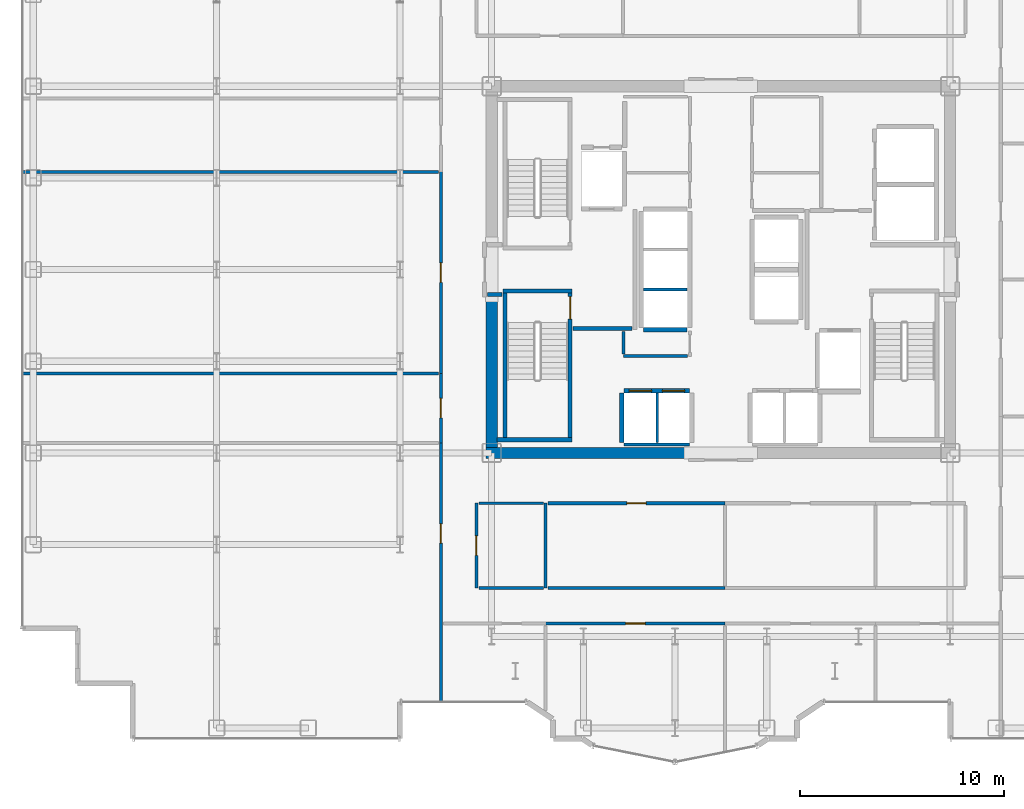
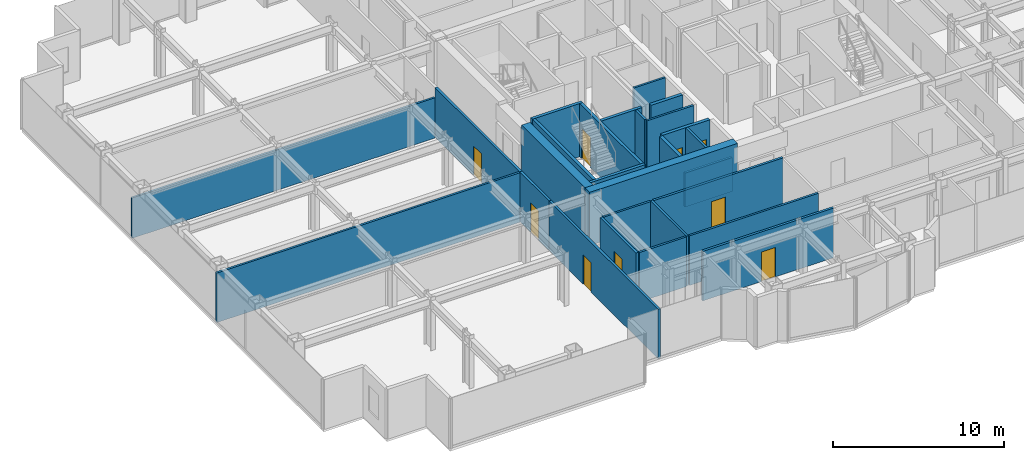
# One storey, part 17 of 23: 28 walls, 9 doors, 9 openings.
"""IFC4 building model written with IfcOpenShell, lengths in metres."""

from ifc_helpers import new_model, si_unit, direction, frame, frame_2d, origin, place, context, subcontext, project, spatial, rectangle, extrude, source, transform, mapped, material, layer, layer_set, type_object, element, fill, save


model = new_model("IFC4")

# Units and contexts
model_context = context("Model", 3, precision=1e-05, world=origin(), true_north=direction((0.0, 1.0)))
body_context = subcontext(model_context, "Body", "Model", "MODEL_VIEW")
ifc_project = project(units=[si_unit("LENGTHUNIT", "METRE"), si_unit("AREAUNIT", "SQUARE_METRE"), si_unit("VOLUMEUNIT", "CUBIC_METRE"), si_unit("PLANEANGLEUNIT", "RADIAN"), si_unit("MASSUNIT", "GRAM", prefix="KILO")], contexts=[model_context])

# Site, building, storey
site_placement = place(None, origin())
site = spatial("IfcSite", under=ifc_project, at=site_placement, CompositionType="ELEMENT")
building_placement = place(site_placement, origin())
building = spatial("IfcBuilding", under=site, at=building_placement, Name="Nefas-Gora Pilgrimage Tower", CompositionType="ELEMENT")
storey_placement = place(building_placement, frame((0.0, 0.0, 167.800048828125)))
storey = spatial("IfcBuildingStorey", under=building, at=storey_placement, Name="L41", CompositionType="ELEMENT", Elevation=167.800048828125)

# Walls
ifc_material_1 = material(Name="Concrete C60/75", Category="concrete")
ifc_layer_1 = layer(ifc_material_1, 0.550048828125)
ifc_layer_set_1 = layer_set([ifc_layer_1], Name="Concrete C60/75")
wall_type_1 = type_object("IfcWallType", Name="SW-CORE-550", PredefinedType="SHEAR", material=ifc_layer_set_1)
shared_shape_1 = source(origin(), body_context, "Body", "SweptSolid", [
    extrude(rectangle(XDim=9.974853515625, YDim=0.550048828125, at=frame_2d((4.9873046875, 0.0))), origin(), (0.0, 0.0, 1.0), 3.800048828125),
])
wall_1_placement = place(storey_placement, frame((-11.52490234375, -9.0, 0.0), z_axis=(0.0, 0.0, 1.0), x_axis=(1.0, 0.0, 0.0)))
element("IfcWall", 1, at=wall_1_placement, inside=storey, type_object=wall_type_1, Name="L41 Core Shear Wall S-West", PredefinedType="SHEAR", context=body_context, shape_type="MappedRepresentation", body=[
    mapped(shared_shape_1, transform((0.0, 0.0, 0.0), x_axis=(1.0, 0.0, 0.0), y_axis=(0.0, 1.0, 0.0), z_axis=(0.0, 0.0, 1.0), scale=1.0)),
])
shared_shape_2 = source(origin(), body_context, "Body", "SweptSolid", [
    extrude(rectangle(XDim=7.375, YDim=0.550048828125, at=frame_2d((3.6875, 0.0))), origin(), (0.0, 0.0, 1.0), 3.800048828125),
])
wall_2_placement = place(storey_placement, frame((-11.25, -8.72509765625, 0.0), z_axis=(0.0, 0.0, 1.0), x_axis=(0.0, 1.0, 0.0)))
element("IfcWall", 2, at=wall_2_placement, inside=storey, type_object=wall_type_1, Name="L41 Core Shear Wall W-South", PredefinedType="SHEAR", context=body_context, shape_type="MappedRepresentation", body=[
    mapped(shared_shape_2, transform((0.0, 0.0, 0.0), x_axis=(1.0, 0.0, 0.0), y_axis=(0.0, 1.0, 0.0), z_axis=(0.0, 0.0, 1.0), scale=1.0)),
])
ifc_material_2 = material(Name="Concrete C45/55", Category="concrete")
ifc_layer_2 = layer(ifc_material_2, 0.199951171875)
ifc_layer_set_2 = layer_set([ifc_layer_2], Name="Concrete C45/55")
wall_type_2 = type_object("IfcWallType", Name="IW-STAIR-200", PredefinedType="SOLIDWALL", material=ifc_layer_set_2)
shared_shape_3 = source(origin(), body_context, "Body", "SweptSolid", [
    extrude(rectangle(XDim=3.39990234375, YDim=0.199951171875, at=frame_2d((1.699951171875, 0.0))), origin(), (0.0, 0.0, 1.0), 3.800048828125),
])
wall_3_placement = place(storey_placement, frame((-10.699951171875, -1.050048828125, 0.0), z_axis=(0.0, 0.0, 1.0), x_axis=(1.0, 0.0, 0.0)))
element("IfcWall", 3, at=wall_3_placement, inside=storey, type_object=wall_type_2, Name="L41 Stairwell Shear Wall ST-03-near", PredefinedType="SOLIDWALL", context=body_context, shape_type="MappedRepresentation", body=[
    mapped(shared_shape_3, transform((0.0, 0.0, 0.0), x_axis=(1.0, 0.0, 0.0), y_axis=(0.0, 1.0, 0.0), z_axis=(0.0, 0.0, 1.0), scale=1.0)),
])
shared_shape_4 = source(origin(), body_context, "Body", "SweptSolid", [
    extrude(rectangle(XDim=7.10009765625, YDim=0.199951171875, at=frame_2d((3.550048828125, 0.0))), origin(), (0.0, 0.0, 1.0), 3.800048828125),
])
wall_4_placement = place(storey_placement, frame((-10.60009765625, -1.14990234375, 0.0), z_axis=(0.0, 0.0, 1.0), x_axis=(0.0, -1.0, 0.0)))
element("IfcWall", 4, at=wall_4_placement, inside=storey, type_object=wall_type_2, Name="L41 Stairwell Shear Wall ST-03-left", PredefinedType="SOLIDWALL", context=body_context, shape_type="MappedRepresentation", body=[
    mapped(shared_shape_4, transform((0.0, 0.0, 0.0), x_axis=(1.0, 0.0, 0.0), y_axis=(0.0, 1.0, 0.0), z_axis=(0.0, 0.0, 1.0), scale=1.0)),
])

# Wall, opening, door
wall_5_placement = place(storey_placement, frame((-7.39990234375, -1.14990234375, 0.0), z_axis=(0.0, 0.0, 1.0), x_axis=(0.0, -1.0, 0.0)))
wall_5 = element("IfcWall", 5, at=wall_5_placement, inside=storey, type_object=wall_type_2, Name="L41 Stairwell Shear Wall ST-03-right", PredefinedType="SOLIDWALL", context=body_context, shape_type="MappedRepresentation", body=[
    mapped(shared_shape_4, transform((0.0, 0.0, 0.0), x_axis=(1.0, 0.0, 0.0), y_axis=(0.0, 1.0, 0.0), z_axis=(0.0, 0.0, 1.0), scale=1.0)),
])
opening_1_placement = place(wall_5_placement, frame((0.179931640625, 0.0, 0.0)))
opening_1 = element("IfcOpeningElement", 6, at=opening_1_placement, cuts=wall_5, Name="Opening ID-ST1", PredefinedType="OPENING", context=body_context, shape_type="SweptSolid", body=[
    extrude(rectangle(XDim=1.10009765625, YDim=2.14990234375, at=frame_2d((0.550048828125, 1.074951171875))), frame((0.0, 0.10986328125, 0.0), z_axis=(0.0, -1.0, 0.0), x_axis=(1.0, 0.0, 0.0)), (0.0, 0.0, 1.0), 0.219970703125),
])
ifc_material_3 = material(Name="Painted galvanised steel fire stair door", Category="steel")
door_type_1 = type_object("IfcDoorType", Name="DR-INT-STAIR-1100", OperationType="NOTDEFINED", PredefinedType="DOOR", material=ifc_material_3)
shared_shape_5 = source(origin(), body_context, "Body", "SweptSolid", [
    extrude(rectangle(XDim=1.10009765625, YDim=2.14990234375, at=frame_2d((0.550048828125, 1.074951171875))), frame((0.0, 0.02490234375, 0.0), z_axis=(0.0, -1.0, 0.0), x_axis=(1.0, 0.0, 0.0)), (0.0, 0.0, 1.0), 0.050048828125),
])
door_1_placement = place(opening_1_placement, origin())
door_1 = element("IfcDoor", 7, at=door_1_placement, inside=storey, type_object=door_type_1, Name="L41 Protected Exit Stair Door ST-03", OperationType="SINGLE_SWING_LEFT", OverallHeight=2.14990234375, OverallWidth=1.10009765625, PredefinedType="DOOR", context=body_context, shape_type="MappedRepresentation", body=[
    mapped(shared_shape_5, transform((0.0, 0.0, 0.0), x_axis=(1.0, 0.0, 0.0), y_axis=(0.0, 1.0, 0.0), z_axis=(0.0, 0.0, 1.0), scale=1.0)),
])
fill(opening_1, door_1)

# Wall
shared_shape_6 = source(origin(), body_context, "Body", "SweptSolid", [
    extrude(rectangle(XDim=3.679931640625, YDim=0.199951171875, at=frame_2d((1.83984375, 0.0))), origin(), (0.0, 0.0, 1.0), 3.800048828125),
])
wall_6_placement = place(storey_placement, frame((-10.97998046875, -8.35009765625, 0.0), z_axis=(0.0, 0.0, 1.0), x_axis=(1.0, 0.0, 0.0)))
element("IfcWall", 8, at=wall_6_placement, inside=storey, type_object=wall_type_2, Name="L41 Stairwell Shear Wall ST-03-far", PredefinedType="SOLIDWALL", context=body_context, shape_type="MappedRepresentation", body=[
    mapped(shared_shape_6, transform((0.0, 0.0, 0.0), x_axis=(1.0, 0.0, 0.0), y_axis=(0.0, 1.0, 0.0), z_axis=(0.0, 0.0, 1.0), scale=1.0)),
])

# Wall, openings, doors
ifc_material_4 = material(Name="Concrete C40/50", Category="concrete")
ifc_layer_3 = layer(ifc_material_4, 0.219970703125)
ifc_layer_set_3 = layer_set([ifc_layer_3], Name="Concrete C40/50")
wall_type_3 = type_object("IfcWallType", Name="IW-SHAFT-220", PredefinedType="SOLIDWALL", material=ifc_layer_set_3)
shared_shape_7 = source(origin(), body_context, "Body", "SweptSolid", [
    extrude(rectangle(XDim=3.199951171875, YDim=0.219970703125, at=frame_2d((1.60009765625, 0.0))), origin(), (0.0, 0.0, 1.0), 3.534912109375),
])
wall_7_placement = place(storey_placement, frame((-1.550048828125, -5.93994140625, 0.0), z_axis=(0.0, 0.0, 1.0), x_axis=(-1.0, 0.0, 0.0)))
wall_7 = element("IfcWall", 9, at=wall_7_placement, inside=storey, type_object=wall_type_3, Name="L41 Hoistway Wall PL2-W-N", PredefinedType="SOLIDWALL", context=body_context, shape_type="MappedRepresentation", body=[
    mapped(shared_shape_7, transform((0.0, 0.0, 0.0), x_axis=(1.0, 0.0, 0.0), y_axis=(0.0, 1.0, 0.0), z_axis=(0.0, 0.0, 1.0), scale=1.0)),
])
opening_2_placement = place(wall_7_placement, frame((1.85009765625, 0.0, 0.0)))
opening_2 = element("IfcOpeningElement", 10, at=opening_2_placement, cuts=wall_7, Name="Opening LD-01", PredefinedType="OPENING", context=body_context, shape_type="SweptSolid", body=[
    extrude(rectangle(XDim=1.10009765625, YDim=2.199951171875, at=frame_2d((0.550048828125, 1.10009765625))), frame((0.0, 0.119873046875, 0.0), z_axis=(0.0, -1.0, 0.0), x_axis=(1.0, 0.0, 0.0)), (0.0, 0.0, 1.0), 0.239990234375),
])
opening_3_placement = place(wall_7_placement, frame((0.22509765625, 0.0, 0.0)))
opening_3 = element("IfcOpeningElement", 11, at=opening_3_placement, cuts=wall_7, Name="Opening LD-01", PredefinedType="OPENING", context=body_context, shape_type="SweptSolid", body=[
    extrude(rectangle(XDim=1.10009765625, YDim=2.199951171875, at=frame_2d((0.550048828125, 1.10009765625))), frame((0.0, 0.119873046875, 0.0), z_axis=(0.0, -1.0, 0.0), x_axis=(1.0, 0.0, 0.0)), (0.0, 0.0, 1.0), 0.239990234375),
])
ifc_material_5 = material(Name="Brushed stainless sliding lift landing door")
door_type_2 = type_object("IfcDoorType", Name="DR-LIFT-PASS-1100", OperationType="DOUBLE_DOOR_SLIDING", PredefinedType="DOOR", material=ifc_material_5)
shared_shape_8 = source(origin(), body_context, "Body", "SweptSolid", [
    extrude(rectangle(XDim=1.10009765625, YDim=2.199951171875, at=frame_2d((0.550048828125, 1.10009765625))), frame((0.0, 0.02490234375, 0.0), z_axis=(0.0, -1.0, 0.0), x_axis=(1.0, 0.0, 0.0)), (0.0, 0.0, 1.0), 0.050048828125),
])
door_2_placement = place(opening_2_placement, origin())
door_2 = element("IfcDoor", 12, at=door_2_placement, inside=storey, type_object=door_type_2, Name="L41 Sliding Lift Landing Door PL2-01", OperationType="DOUBLE_DOOR_SLIDING", OverallHeight=2.199951171875, OverallWidth=1.10009765625, PredefinedType="DOOR", context=body_context, shape_type="MappedRepresentation", body=[
    mapped(shared_shape_8, transform((0.0, 0.0, 0.0), x_axis=(1.0, 0.0, 0.0), y_axis=(0.0, 1.0, 0.0), z_axis=(0.0, 0.0, 1.0), scale=1.0)),
])
fill(opening_2, door_2)
door_3_placement = place(opening_3_placement, origin())
door_3 = element("IfcDoor", 13, at=door_3_placement, inside=storey, type_object=door_type_2, Name="L41 Sliding Lift Landing Door PL2-02", OperationType="DOUBLE_DOOR_SLIDING", OverallHeight=2.199951171875, OverallWidth=1.10009765625, PredefinedType="DOOR", context=body_context, shape_type="MappedRepresentation", body=[
    mapped(shared_shape_8, transform((0.0, 0.0, 0.0), x_axis=(1.0, 0.0, 0.0), y_axis=(0.0, 1.0, 0.0), z_axis=(0.0, 0.0, 1.0), scale=1.0)),
])
fill(opening_3, door_3)

# Walls
ifc_material_6 = material(Name="Gypsum acoustic stud partition")
ifc_layer_4 = layer(ifc_material_6, 0.159912109375)
ifc_layer_set_4 = layer_set([ifc_layer_4], Name="Gypsum acoustic stud partition")
wall_type_4 = type_object("IfcWallType", Name="IW-CORR-160", PredefinedType="PARTITIONING", material=ifc_layer_set_4)
shared_shape_9 = source(origin(), body_context, "Body", "SweptSolid", [
    extrude(rectangle(XDim=3.199951171875, YDim=0.159912109375, at=frame_2d((1.60009765625, 0.0))), origin(), (0.0, 0.0, 1.0), 2.425048828125),
])
wall_8_placement = place(storey_placement, frame((-4.75, -8.580078125, 0.0), z_axis=(0.0, 0.0, 1.0), x_axis=(1.0, 0.0, 0.0)))
element("IfcWall", 14, at=wall_8_placement, inside=storey, type_object=wall_type_4, Name="L41 Hoistway Wall PL2-W-S", PredefinedType="PARTITIONING", context=body_context, shape_type="MappedRepresentation", body=[
    mapped(shared_shape_9, transform((0.0, 0.0, 0.0), x_axis=(1.0, 0.0, 0.0), y_axis=(0.0, 1.0, 0.0), z_axis=(0.0, 0.0, 1.0), scale=1.0)),
])
shared_shape_10 = source(origin(), body_context, "Body", "SweptSolid", [
    extrude(rectangle(XDim=2.429931640625, YDim=0.219970703125, at=frame_2d((1.21484375, 0.0))), origin(), (0.0, 0.0, 1.0), 3.534912109375),
])
wall_9_placement = place(storey_placement, frame((-4.860107421875, -6.06005859375, 0.0), z_axis=(0.0, 0.0, 1.0), x_axis=(0.0, -1.0, 0.0)))
element("IfcWall", 15, at=wall_9_placement, inside=storey, type_object=wall_type_3, Name="L41 Hoistway Wall PL2-W-W", PredefinedType="SOLIDWALL", context=body_context, shape_type="MappedRepresentation", body=[
    mapped(shared_shape_10, transform((0.0, 0.0, 0.0), x_axis=(1.0, 0.0, 0.0), y_axis=(0.0, 1.0, 0.0), z_axis=(0.0, 0.0, 1.0), scale=1.0)),
])
ifc_material_7 = material(Name="Gypsum twin-stud partition")
ifc_layer_5 = layer(ifc_material_7, 0.139892578125)
ifc_layer_set_5 = layer_set([ifc_layer_5], Name="Gypsum twin-stud partition")
wall_type_5 = type_object("IfcWallType", Name="IW-UNIT-140", PredefinedType="PARTITIONING", material=ifc_layer_set_5)
shared_shape_11 = source(origin(), body_context, "Body", "SweptSolid", [
    extrude(rectangle(XDim=2.429931640625, YDim=0.139892578125, at=frame_2d((1.21484375, 0.0))), origin(), (0.0, 0.0, 1.0), 3.534912109375),
])
wall_10_placement = place(storey_placement, frame((-3.125, -8.489990234375, 0.0), z_axis=(0.0, 0.0, 1.0), x_axis=(0.0, 1.0, 0.0)))
element("IfcWall", 16, at=wall_10_placement, inside=storey, type_object=wall_type_5, Name="L41 Hoistway Wall PL2-W-DIV", PredefinedType="PARTITIONING", context=body_context, shape_type="MappedRepresentation", body=[
    mapped(shared_shape_11, transform((0.0, 0.0, 0.0), x_axis=(1.0, 0.0, 0.0), y_axis=(0.0, 1.0, 0.0), z_axis=(0.0, 0.0, 1.0), scale=1.0)),
])
shared_shape_12 = source(origin(), body_context, "Body", "SweptSolid", [
    extrude(rectangle(XDim=2.130126953125, YDim=0.219970703125, at=frame_2d((1.06494140625, 0.0))), origin(), (0.0, 0.0, 1.0), 3.534912109375),
])
wall_11_placement = place(storey_placement, frame((-3.7900390625, -2.9599609375, 0.0), z_axis=(0.0, 0.0, 1.0), x_axis=(1.0, 0.0, 0.0)))
element("IfcWall", 17, at=wall_11_placement, inside=storey, type_object=wall_type_3, Name="L41 Hoistway Wall PL3-01-S", PredefinedType="SOLIDWALL", context=body_context, shape_type="MappedRepresentation", body=[
    mapped(shared_shape_12, transform((0.0, 0.0, 0.0), x_axis=(1.0, 0.0, 0.0), y_axis=(0.0, 1.0, 0.0), z_axis=(0.0, 0.0, 1.0), scale=1.0)),
])
shared_shape_13 = source(origin(), body_context, "Body", "SweptSolid", [
    extrude(rectangle(XDim=2.130126953125, YDim=0.139892578125, at=frame_2d((1.06494140625, 0.0))), origin(), (0.0, 0.0, 1.0), 3.534912109375),
])
wall_12_placement = place(storey_placement, frame((-3.7900390625, -0.97509765625, 0.0), z_axis=(0.0, 0.0, 1.0), x_axis=(1.0, 0.0, 0.0)))
element("IfcWall", 18, at=wall_12_placement, inside=storey, type_object=wall_type_5, Name="L41 Hoistway Wall PL3-01-02-DIV", PredefinedType="PARTITIONING", context=body_context, shape_type="MappedRepresentation", body=[
    mapped(shared_shape_13, transform((0.0, 0.0, 0.0), x_axis=(1.0, 0.0, 0.0), y_axis=(0.0, 1.0, 0.0), z_axis=(0.0, 0.0, 1.0), scale=1.0)),
])
ifc_material_8 = material(Name="Gypsum fire-rated shaftwall")
ifc_layer_6 = layer(ifc_material_8, 0.199951171875)
ifc_layer_set_6 = layer_set([ifc_layer_6], Name="Gypsum fire-rated shaftwall")
wall_type_6 = type_object("IfcWallType", Name="IW-FFLOB-200", PredefinedType="PARTITIONING", material=ifc_layer_set_6)
shared_shape_14 = source(origin(), body_context, "Body", "SweptSolid", [
    extrude(rectangle(XDim=2.89990234375, YDim=0.199951171875, at=frame_2d((1.449951171875, 0.0))), origin(), (0.0, 0.0, 1.0), 3.534912109375),
])
wall_13_placement = place(storey_placement, frame((-7.260009765625, -2.89990234375, 0.0), z_axis=(0.0, 0.0, 1.0), x_axis=(1.0, 0.0, 0.0)))
element("IfcWall", 19, at=wall_13_placement, inside=storey, type_object=wall_type_6, Name="L41 FF Lobby West South Wall Wall 6", PredefinedType="PARTITIONING", context=body_context, shape_type="MappedRepresentation", body=[
    mapped(shared_shape_14, transform((0.0, 0.0, 0.0), x_axis=(1.0, 0.0, 0.0), y_axis=(0.0, 1.0, 0.0), z_axis=(0.0, 0.0, 1.0), scale=1.0)),
])
shared_shape_15 = source(origin(), body_context, "Body", "SweptSolid", [
    extrude(rectangle(XDim=0.719970703125, YDim=0.199951171875, at=frame_2d((0.35986328125, 0.0))), origin(), (0.0, 0.0, 1.0), 3.534912109375),
])
wall_14_placement = place(storey_placement, frame((-11.4599609375, -1.219970703125, 0.0), z_axis=(0.0, 0.0, 1.0), x_axis=(1.0, 0.0, 0.0)))
element("IfcWall", 20, at=wall_14_placement, inside=storey, type_object=wall_type_6, Name="L41 FF Lobby West Throat S Wall 8", PredefinedType="PARTITIONING", context=body_context, shape_type="MappedRepresentation", body=[
    mapped(shared_shape_15, transform((0.0, 0.0, 0.0), x_axis=(1.0, 0.0, 0.0), y_axis=(0.0, 1.0, 0.0), z_axis=(0.0, 0.0, 1.0), scale=1.0)),
])
shared_shape_16 = source(origin(), body_context, "Body", "SweptSolid", [
    extrude(rectangle(XDim=20.429931640625, YDim=0.139892578125, at=frame_2d((10.21484375, 0.0))), origin(), (0.0, 0.0, 1.0), 3.534912109375),
])
wall_15_placement = place(storey_placement, frame((-34.2900390625, -5.10498046875, 0.0), z_axis=(0.0, 0.0, 1.0), x_axis=(1.0, 0.0, 0.0)))
element("IfcWall", 21, at=wall_15_placement, inside=storey, type_object=wall_type_5, Name="L41 Pilgrim Fellowship Seminar Room Partition Wall 35", PredefinedType="PARTITIONING", context=body_context, shape_type="MappedRepresentation", body=[
    mapped(shared_shape_16, transform((0.0, 0.0, 0.0), x_axis=(1.0, 0.0, 0.0), y_axis=(0.0, 1.0, 0.0), z_axis=(0.0, 0.0, 1.0), scale=1.0)),
])
shared_shape_17 = source(origin(), body_context, "Body", "SweptSolid", [
    extrude(rectangle(XDim=3.150146484375, YDim=0.139892578125, at=frame_2d((1.5751953125, 0.0))), origin(), (0.0, 0.0, 1.0), 3.534912109375),
])
wall_16_placement = place(storey_placement, frame((-4.7900390625, -4.25, 0.0), z_axis=(0.0, 0.0, 1.0), x_axis=(1.0, 0.0, 0.0)))
element("IfcWall", 22, at=wall_16_placement, inside=storey, type_object=wall_type_5, Name="L41 Guest Self-Service Laundry Room Partition Wall 27", PredefinedType="PARTITIONING", context=body_context, shape_type="MappedRepresentation", body=[
    mapped(shared_shape_17, transform((0.0, 0.0, 0.0), x_axis=(1.0, 0.0, 0.0), y_axis=(0.0, 1.0, 0.0), z_axis=(0.0, 0.0, 1.0), scale=1.0)),
])

# Wall, opening, door
shared_shape_18 = source(origin(), body_context, "Body", "SweptSolid", [
    extrude(rectangle(XDim=12.744873046875, YDim=0.159912109375, at=frame_2d((6.37255859375, 0.0))), origin(), (0.0, 0.0, 1.0), 3.534912109375),
])
wall_17_placement = place(storey_placement, frame((-13.739990234375, -21.239990234375, 0.0), z_axis=(0.0, 0.0, 1.0), x_axis=(0.0, 1.0, 0.0)))
wall_17 = element("IfcWall", 23, at=wall_17_placement, inside=storey, type_object=wall_type_4, Name="L41 Pilgrim Tea and Beverage Pantry Partition Wall 32", PredefinedType="PARTITIONING", context=body_context, shape_type="MappedRepresentation", body=[
    mapped(shared_shape_18, transform((0.0, 0.0, 0.0), x_axis=(1.0, 0.0, 0.0), y_axis=(0.0, 1.0, 0.0), z_axis=(0.0, 0.0, 1.0), scale=1.0)),
])
opening_4_placement = place(wall_17_placement, frame((7.8125, 0.0, 0.0)))
opening_4 = element("IfcOpeningElement", 24, at=opening_4_placement, cuts=wall_17, Name="Opening ID-GR1", PredefinedType="OPENING", context=body_context, shape_type="SweptSolid", body=[
    extrude(rectangle(XDim=0.949951171875, YDim=2.10009765625, at=frame_2d((0.47509765625, 1.050048828125))), frame((0.0, 0.08984375, 0.0), z_axis=(0.0, -1.0, 0.0), x_axis=(1.0, 0.0, 0.0)), (0.0, 0.0, 1.0), 0.179931640625),
])
ifc_material_9 = material(Name="Solid core oak fire-rated guest entrance door")
door_type_3 = type_object("IfcDoorType", Name="DR-INT-GUEST-950", OperationType="NOTDEFINED", PredefinedType="DOOR", material=ifc_material_9)
shared_shape_19 = source(origin(), body_context, "Body", "SweptSolid", [
    extrude(rectangle(XDim=0.949951171875, YDim=2.10009765625, at=frame_2d((0.47509765625, 1.050048828125))), frame((0.0, 0.02490234375, 0.0), z_axis=(0.0, -1.0, 0.0), x_axis=(1.0, 0.0, 0.0)), (0.0, 0.0, 1.0), 0.050048828125),
])
door_4_placement = place(opening_4_placement, origin())
door_4 = element("IfcDoor", 25, at=door_4_placement, inside=storey, type_object=door_type_3, Name="L41 Pilgrim Tea and Beverage Pantry Door 13", OperationType="SINGLE_SWING_RIGHT", OverallHeight=2.10009765625, OverallWidth=0.949951171875, PredefinedType="DOOR", context=body_context, shape_type="MappedRepresentation", body=[
    mapped(shared_shape_19, transform((0.0, 0.0, 0.0), x_axis=(1.0, 0.0, 0.0), y_axis=(0.0, 1.0, 0.0), z_axis=(0.0, 0.0, 1.0), scale=1.0)),
])
fill(opening_4, door_4)

shared_shape_20 = source(origin(), body_context, "Body", "SweptSolid", [
    extrude(rectangle(XDim=3.409912109375, YDim=0.159912109375, at=frame_2d((1.705078125, 0.0))), origin(), (0.0, 0.0, 1.0), 3.534912109375),
])
wall_18_placement = place(storey_placement, frame((-13.739990234375, -8.5048828125, 0.0), z_axis=(0.0, 0.0, 1.0), x_axis=(0.0, 1.0, 0.0)))
wall_18 = element("IfcWall", 26, at=wall_18_placement, inside=storey, type_object=wall_type_4, Name="L41 Pilgrim Fellowship Seminar Room Partition Wall 34", PredefinedType="PARTITIONING", context=body_context, shape_type="MappedRepresentation", body=[
    mapped(shared_shape_20, transform((0.0, 0.0, 0.0), x_axis=(1.0, 0.0, 0.0), y_axis=(0.0, 1.0, 0.0), z_axis=(0.0, 0.0, 1.0), scale=1.0)),
])
opening_5_placement = place(wall_18_placement, frame((1.22998046875, 0.0, 0.0)))
opening_5 = element("IfcOpeningElement", 27, at=opening_5_placement, cuts=wall_18, Name="Opening ID-GR1", PredefinedType="OPENING", context=body_context, shape_type="SweptSolid", body=[
    extrude(rectangle(XDim=0.949951171875, YDim=2.10009765625, at=frame_2d((0.47509765625, 1.050048828125))), frame((0.0, 0.08984375, 0.0), z_axis=(0.0, -1.0, 0.0), x_axis=(1.0, 0.0, 0.0)), (0.0, 0.0, 1.0), 0.179931640625),
])
door_5_placement = place(opening_5_placement, origin())
door_5 = element("IfcDoor", 28, at=door_5_placement, inside=storey, type_object=door_type_3, Name="L41 Pilgrim Fellowship Seminar Room Door 14", OperationType="SINGLE_SWING_LEFT", OverallHeight=2.10009765625, OverallWidth=0.949951171875, PredefinedType="DOOR", context=body_context, shape_type="MappedRepresentation", body=[
    mapped(shared_shape_19, transform((0.0, 0.0, 0.0), x_axis=(1.0, 0.0, 0.0), y_axis=(0.0, 1.0, 0.0), z_axis=(0.0, 0.0, 1.0), scale=1.0)),
])
fill(opening_5, door_5)

# Walls
shared_shape_21 = source(origin(), body_context, "Body", "SweptSolid", [
    extrude(rectangle(XDim=20.429931640625, YDim=0.139892578125, at=frame_2d((10.21484375, 0.0))), origin(), (0.0, 0.0, 1.0), 2.875),
])
wall_19_placement = place(storey_placement, frame((-34.2900390625, 4.794921875, 0.0), z_axis=(0.0, 0.0, 1.0), x_axis=(1.0, 0.0, 0.0)))
element("IfcWall", 29, at=wall_19_placement, inside=storey, type_object=wall_type_5, Name="L41 Pilgrim Fellowship Seminar Room Partition Wall 37", PredefinedType="PARTITIONING", context=body_context, shape_type="MappedRepresentation", body=[
    mapped(shared_shape_21, transform((0.0, 0.0, 0.0), x_axis=(1.0, 0.0, 0.0), y_axis=(0.0, 1.0, 0.0), z_axis=(0.0, 0.0, 1.0), scale=1.0)),
])
shared_shape_22 = source(origin(), body_context, "Body", "SweptSolid", [
    extrude(rectangle(XDim=1.099853515625, YDim=0.139892578125, at=frame_2d((0.5498046875, 0.0))), origin(), (0.0, 0.0, 1.0), 3.534912109375),
])
wall_20_placement = place(storey_placement, frame((-4.780029296875, -4.139892578125, 0.0), z_axis=(0.0, 0.0, 1.0), x_axis=(0.0, 1.0, 0.0)))
element("IfcWall", 30, at=wall_20_placement, inside=storey, type_object=wall_type_5, Name="L41 Guest Self-Service Laundry Room Partition Wall 28", PredefinedType="PARTITIONING", context=body_context, shape_type="MappedRepresentation", body=[
    mapped(shared_shape_22, transform((0.0, 0.0, 0.0), x_axis=(1.0, 0.0, 0.0), y_axis=(0.0, 1.0, 0.0), z_axis=(0.0, 0.0, 1.0), scale=1.0)),
])
shared_shape_23 = source(origin(), body_context, "Body", "SweptSolid", [
    extrude(rectangle(XDim=4.179931640625, YDim=0.139892578125, at=frame_2d((2.08984375, 0.0))), origin(), (0.0, 0.0, 1.0), 3.534912109375),
])
wall_21_placement = place(storey_placement, frame((-8.60498046875, -15.639892578125, 0.0), z_axis=(0.0, 0.0, 1.0), x_axis=(0.0, 1.0, 0.0)))
element("IfcWall", 31, at=wall_21_placement, inside=storey, type_object=wall_type_5, Name="L41 Pilgrim Contemplative Lounge Partition Wall 71", PredefinedType="PARTITIONING", context=body_context, shape_type="MappedRepresentation", body=[
    mapped(shared_shape_23, transform((0.0, 0.0, 0.0), x_axis=(1.0, 0.0, 0.0), y_axis=(0.0, 1.0, 0.0), z_axis=(0.0, 0.0, 1.0), scale=1.0)),
])

# Wall, opening, door
shared_shape_24 = source(origin(), body_context, "Body", "SweptSolid", [
    extrude(rectangle(XDim=4.179931640625, YDim=0.159912109375, at=frame_2d((2.08984375, 0.0))), origin(), (0.0, 0.0, 1.0), 3.534912109375),
])
wall_22_placement = place(storey_placement, frame((-12.0, -15.639892578125, 0.0), z_axis=(0.0, 0.0, 1.0), x_axis=(0.0, 1.0, 0.0)))
wall_22 = element("IfcWall", 32, at=wall_22_placement, inside=storey, type_object=wall_type_4, Name="L41 Pilgrim Contemplative Lounge Partition Wall 70", PredefinedType="PARTITIONING", context=body_context, shape_type="MappedRepresentation", body=[
    mapped(shared_shape_24, transform((0.0, 0.0, 0.0), x_axis=(1.0, 0.0, 0.0), y_axis=(0.0, 1.0, 0.0), z_axis=(0.0, 0.0, 1.0), scale=1.0)),
])
opening_6_placement = place(wall_22_placement, frame((1.614990234375, 0.0, 0.0)))
opening_6 = element("IfcOpeningElement", 33, at=opening_6_placement, cuts=wall_22, Name="Opening ID-GR1", PredefinedType="OPENING", context=body_context, shape_type="SweptSolid", body=[
    extrude(rectangle(XDim=0.949951171875, YDim=2.10009765625, at=frame_2d((0.47509765625, 1.050048828125))), frame((0.0, 0.08984375, 0.0), z_axis=(0.0, -1.0, 0.0), x_axis=(1.0, 0.0, 0.0)), (0.0, 0.0, 1.0), 0.179931640625),
])
door_6_placement = place(opening_6_placement, origin())
door_6 = element("IfcDoor", 34, at=door_6_placement, inside=storey, type_object=door_type_3, Name="L41 Pilgrim Contemplative Lounge Door 32", OperationType="SINGLE_SWING_LEFT", OverallHeight=2.10009765625, OverallWidth=0.949951171875, PredefinedType="DOOR", context=body_context, shape_type="MappedRepresentation", body=[
    mapped(shared_shape_19, transform((0.0, 0.0, 0.0), x_axis=(1.0, 0.0, 0.0), y_axis=(0.0, 1.0, 0.0), z_axis=(0.0, 0.0, 1.0), scale=1.0)),
])
fill(opening_6, door_6)

shared_shape_25 = source(origin(), body_context, "Body", "SweptSolid", [
    extrude(rectangle(XDim=9.909912109375, YDim=0.159912109375, at=frame_2d((4.955078125, 0.0))), origin(), (0.0, 0.0, 1.0), 3.534912109375),
])
wall_23_placement = place(storey_placement, frame((-13.739990234375, -5.10498046875, 0.0), z_axis=(0.0, 0.0, 1.0), x_axis=(0.0, 1.0, 0.0)))
wall_23 = element("IfcWall", 35, at=wall_23_placement, inside=storey, type_object=wall_type_4, Name="L41 Pilgrim Fellowship Seminar Room Partition Wall 36", PredefinedType="PARTITIONING", context=body_context, shape_type="MappedRepresentation", body=[
    mapped(shared_shape_25, transform((0.0, 0.0, 0.0), x_axis=(1.0, 0.0, 0.0), y_axis=(0.0, 1.0, 0.0), z_axis=(0.0, 0.0, 1.0), scale=1.0)),
])
opening_7_placement = place(wall_23_placement, frame((4.47998046875, 0.0, 0.0)))
opening_7 = element("IfcOpeningElement", 36, at=opening_7_placement, cuts=wall_23, Name="Opening ID-GR1", PredefinedType="OPENING", context=body_context, shape_type="SweptSolid", body=[
    extrude(rectangle(XDim=0.949951171875, YDim=2.10009765625, at=frame_2d((0.47509765625, 1.050048828125))), frame((0.0, 0.08984375, 0.0), z_axis=(0.0, -1.0, 0.0), x_axis=(1.0, 0.0, 0.0)), (0.0, 0.0, 1.0), 0.179931640625),
])
door_7_placement = place(opening_7_placement, origin())
door_7 = element("IfcDoor", 37, at=door_7_placement, inside=storey, type_object=door_type_3, Name="L41 Pilgrim Fellowship Seminar Room Door 15", OperationType="SINGLE_SWING_RIGHT", OverallHeight=2.10009765625, OverallWidth=0.949951171875, PredefinedType="DOOR", context=body_context, shape_type="MappedRepresentation", body=[
    mapped(shared_shape_19, transform((0.0, 0.0, 0.0), x_axis=(1.0, 0.0, 0.0), y_axis=(0.0, 1.0, 0.0), z_axis=(0.0, 0.0, 1.0), scale=1.0)),
])
fill(opening_7, door_7)

# Walls
shared_shape_26 = source(origin(), body_context, "Body", "SweptSolid", [
    extrude(rectangle(XDim=3.164794921875, YDim=0.139892578125, at=frame_2d((1.58251953125, 0.0))), origin(), (0.0, 0.0, 1.0), 3.534912109375),
])
for number, where, z_axis, x_axis, name in (
    (38, (-11.8798828125, -11.469970703125, 0.0), (0.0, 0.0, 1.0), (1.0, 0.0, 0.0), "L41 Pilgrim Contemplative Lounge Partition Wall 72"),
    (39, (-11.8798828125, -15.6298828125, 0.0), (0.0, 0.0, 1.0), (1.0, 0.0, 0.0), "L41 Pilgrim Contemplative Lounge Partition Wall 73"),
):
    element("IfcWall", number, at=place(storey_placement, frame(where, z_axis=z_axis, x_axis=x_axis)), inside=storey, type_object=wall_type_5, Name=name, PredefinedType="PARTITIONING", context=body_context, shape_type="MappedRepresentation", body=[
        mapped(shared_shape_26, transform((0.0, 0.0, 0.0), x_axis=(1.0, 0.0, 0.0), y_axis=(0.0, 1.0, 0.0), z_axis=(0.0, 0.0, 1.0), scale=1.0)),
    ])

# Wall, opening, door
shared_shape_27 = source(origin(), body_context, "Body", "SweptSolid", [
    extrude(rectangle(XDim=8.81005859375, YDim=0.159912109375, at=frame_2d((4.405029296875, 0.0))), origin(), (0.0, 0.0, 1.0), 3.534912109375),
])
wall_24_placement = place(storey_placement, frame((-8.60498046875, -17.3701171875, 0.0), z_axis=(0.0, 0.0, 1.0), x_axis=(1.0, 0.0, 0.0)))
wall_24 = element("IfcWall", 40, at=wall_24_placement, inside=storey, type_object=wall_type_4, Name="L41 Pilgrim Contemplative Lounge Partition Wall 74", PredefinedType="PARTITIONING", context=body_context, shape_type="MappedRepresentation", body=[
    mapped(shared_shape_27, transform((0.0, 0.0, 0.0), x_axis=(1.0, 0.0, 0.0), y_axis=(0.0, 1.0, 0.0), z_axis=(0.0, 0.0, 1.0), scale=1.0)),
])
opening_8_placement = place(wall_24_placement, frame((3.929931640625, 0.0, 0.0)))
opening_8 = element("IfcOpeningElement", 41, at=opening_8_placement, cuts=wall_24, Name="Opening ID-GR1", PredefinedType="OPENING", context=body_context, shape_type="SweptSolid", body=[
    extrude(rectangle(XDim=0.949951171875, YDim=2.10009765625, at=frame_2d((0.47509765625, 1.050048828125))), frame((0.0, 0.08984375, 0.0), z_axis=(0.0, -1.0, 0.0), x_axis=(1.0, 0.0, 0.0)), (0.0, 0.0, 1.0), 0.179931640625),
])
door_8_placement = place(opening_8_placement, origin())
door_8 = element("IfcDoor", 42, at=door_8_placement, inside=storey, type_object=door_type_3, Name="L41 Pilgrim Contemplative Lounge Door 33", OperationType="SINGLE_SWING_RIGHT", OverallHeight=2.10009765625, OverallWidth=0.949951171875, PredefinedType="DOOR", context=body_context, shape_type="MappedRepresentation", body=[
    mapped(shared_shape_19, transform((0.0, 0.0, 0.0), x_axis=(1.0, 0.0, 0.0), y_axis=(0.0, 1.0, 0.0), z_axis=(0.0, 0.0, 1.0), scale=1.0)),
])
fill(opening_8, door_8)

shared_shape_28 = source(origin(), body_context, "Body", "SweptSolid", [
    extrude(rectangle(XDim=8.7001953125, YDim=0.159912109375, at=frame_2d((4.35009765625, 0.0))), origin(), (0.0, 0.0, 1.0), 3.534912109375),
])
wall_25_placement = place(storey_placement, frame((-8.4951171875, -11.469970703125, 0.0), z_axis=(0.0, 0.0, 1.0), x_axis=(1.0, 0.0, 0.0)))
wall_25 = element("IfcWall", 43, at=wall_25_placement, inside=storey, type_object=wall_type_4, Name="L41 Pilgrim Contemplative Lounge Partition Wall 76", PredefinedType="PARTITIONING", context=body_context, shape_type="MappedRepresentation", body=[
    mapped(shared_shape_28, transform((0.0, 0.0, 0.0), x_axis=(1.0, 0.0, 0.0), y_axis=(0.0, 1.0, 0.0), z_axis=(0.0, 0.0, 1.0), scale=1.0)),
])
opening_9_placement = place(wall_25_placement, frame((3.875, 0.0, 0.0)))
opening_9 = element("IfcOpeningElement", 44, at=opening_9_placement, cuts=wall_25, Name="Opening ID-GR1", PredefinedType="OPENING", context=body_context, shape_type="SweptSolid", body=[
    extrude(rectangle(XDim=0.949951171875, YDim=2.10009765625, at=frame_2d((0.47509765625, 1.050048828125))), frame((0.0, 0.08984375, 0.0), z_axis=(0.0, -1.0, 0.0), x_axis=(1.0, 0.0, 0.0)), (0.0, 0.0, 1.0), 0.179931640625),
])
door_9_placement = place(opening_9_placement, origin())
door_9 = element("IfcDoor", 45, at=door_9_placement, inside=storey, type_object=door_type_3, Name="L41 Pilgrim Contemplative Lounge Door 34", OperationType="SINGLE_SWING_LEFT", OverallHeight=2.10009765625, OverallWidth=0.949951171875, PredefinedType="DOOR", context=body_context, shape_type="MappedRepresentation", body=[
    mapped(shared_shape_19, transform((0.0, 0.0, 0.0), x_axis=(1.0, 0.0, 0.0), y_axis=(0.0, 1.0, 0.0), z_axis=(0.0, 0.0, 1.0), scale=1.0)),
])
fill(opening_9, door_9)

# Wall
shared_shape_29 = source(origin(), body_context, "Body", "SweptSolid", [
    extrude(rectangle(XDim=8.7001953125, YDim=0.139892578125, at=frame_2d((4.35009765625, 0.0))), origin(), (0.0, 0.0, 1.0), 3.534912109375),
])
wall_26_placement = place(storey_placement, frame((-8.4951171875, -15.6298828125, 0.0), z_axis=(0.0, 0.0, 1.0), x_axis=(1.0, 0.0, 0.0)))
element("IfcWall", 46, at=wall_26_placement, inside=storey, type_object=wall_type_5, Name="L41 Pilgrim Contemplative Lounge Partition Wall 77", PredefinedType="PARTITIONING", context=body_context, shape_type="MappedRepresentation", body=[
    mapped(shared_shape_29, transform((0.0, 0.0, 0.0), x_axis=(1.0, 0.0, 0.0), y_axis=(0.0, 1.0, 0.0), z_axis=(0.0, 0.0, 1.0), scale=1.0)),
])

save(model, "model.ifc")
